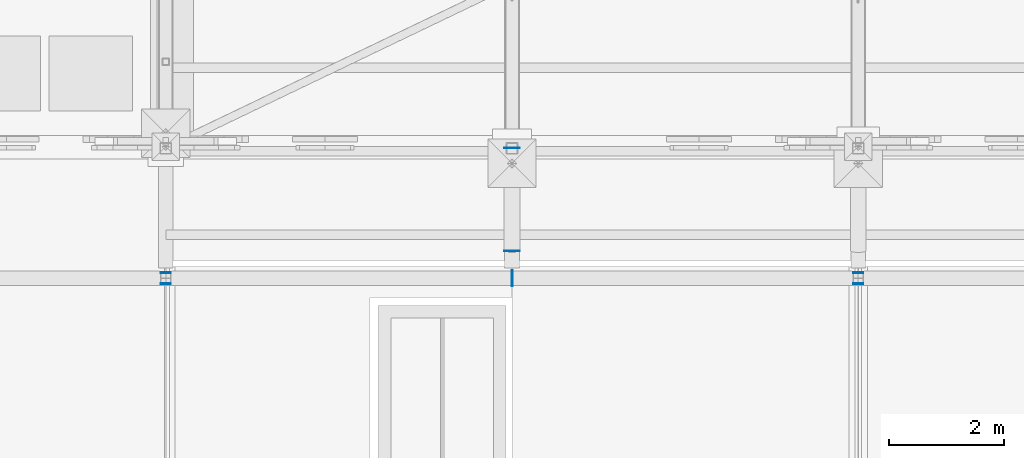
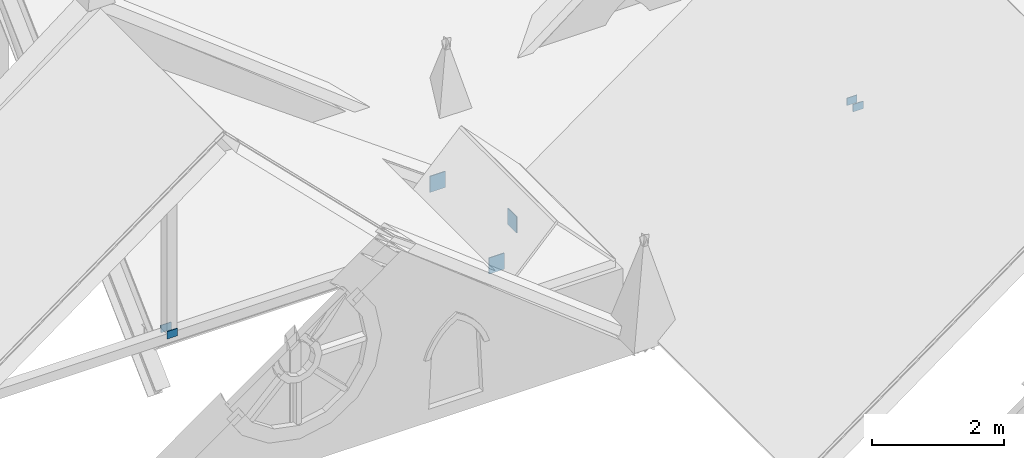
# One storey, part 23 of 33: 7 discrete accessories.
"""IFC4 building model written with IfcOpenShell, lengths in metres."""

from ifc_helpers import new_model, si_unit, direction, frame, origin, origin_2d, place, context, subcontext, project, spatial, rectangle, extrude, material, type_object, element, save


model = new_model("IFC4")

# Units and contexts
model_context = context("Model", 3, precision=1e-05, world=origin(), true_north=direction((0.0, 1.0)))
body_context = subcontext(model_context, "Body", "Model", "MODEL_VIEW")
ifc_project = project(units=[si_unit("LENGTHUNIT", "METRE"), si_unit("AREAUNIT", "SQUARE_METRE"), si_unit("VOLUMEUNIT", "CUBIC_METRE"), si_unit("PLANEANGLEUNIT", "RADIAN"), si_unit("MASSUNIT", "GRAM", prefix="KILO")], contexts=[model_context])

# Site, building, storey
site_placement = place(None, origin())
site = spatial("IfcSite", under=ifc_project, at=site_placement, CompositionType="ELEMENT")
building_placement = place(site_placement, origin())
building = spatial("IfcBuilding", under=site, at=building_placement, Name="Cumevento Cable Car Station", CompositionType="ELEMENT")
storey_placement = place(building_placement, frame((0.0, 0.0, 22.5)))
storey = spatial("IfcBuildingStorey", under=building, at=storey_placement, Name="RF", CompositionType="ELEMENT", Elevation=22.5)

# Discrete accessories
ifc_material_1 = material(Name="Steel ASTM A572 Grade 50", Category="steel")
discrete_accessory_type_1 = type_object("IfcDiscreteAccessoryType", Name="King Post Foot Cleat Plate KC-01", PredefinedType="BRACKET", material=ifc_material_1)
for number, where, z_axis, x_axis, name in (
    (1, (64.0, 42.655029296875, -0.0009765625), (0.0, 0.0, 1.0), (0.0, 1.0, 0.0), "King Post Foot Cleat Plate #11"),
    (2, (64.0, 42.844970703125, -0.0009765625), (0.0, 0.0, 1.0), (0.0, 1.0, 0.0), "King Post Foot Cleat Plate #12"),
    (3, (76.0, 42.655029296875, -0.0009765625), (0.0, 0.0, 1.0), (0.0, 1.0, 0.0), "King Post Foot Cleat Plate #13"),
    (4, (76.0, 42.844970703125, -0.0009765625), (0.0, 0.0, 1.0), (0.0, 1.0, 0.0), "King Post Foot Cleat Plate #14"),
):
    element("IfcDiscreteAccessory", number, at=place(storey_placement, frame(where, z_axis=z_axis, x_axis=x_axis)), inside=storey, type_object=discrete_accessory_type_1, Name=name, PredefinedType="BRACKET", context=body_context, shape_type="SweptSolid", body=[
        extrude(rectangle(XDim=0.011962890625, YDim=0.179931640625, at=origin_2d()), origin(), (0.0, 0.0, 1.0), 0.139892578125),
    ])
ifc_material_2 = material(Name="Steel ASTM A572 Grade 50", Category="steel")
discrete_accessory_type_2 = type_object("IfcDiscreteAccessoryType", Name="Cast-in Embed Plate CE-01", PredefinedType="BRACKET", material=ifc_material_2)
for number, where, z_axis, x_axis, name in (
    (5, (70.0, 45.007080078125, -0.7998046875), (0.0, 0.0, 1.0), (0.0, 1.0, 0.0), "Cast-in Embed Plate #1"),
    (6, (70.0, 43.222900390625, -1.2294921875), (0.0, 0.0, 1.0), (0.0, -1.0, 0.0), "Cast-in Embed Plate #2"),
    (7, (70.007080078125, 42.75, -0.14990234375), (0.0, 0.0, 1.0), (1.0, 0.0, 0.0), "Cast-in Embed Plate #5"),
):
    element("IfcDiscreteAccessory", number, at=place(storey_placement, frame(where, z_axis=z_axis, x_axis=x_axis)), inside=storey, type_object=discrete_accessory_type_2, Name=name, PredefinedType="BRACKET", context=body_context, shape_type="SweptSolid", body=[
        extrude(rectangle(XDim=0.01611328125, YDim=0.27001953125, at=origin_2d()), origin(), (0.0, 0.0, 1.0), 0.300048828125),
    ])

save(model, "model.ifc")
